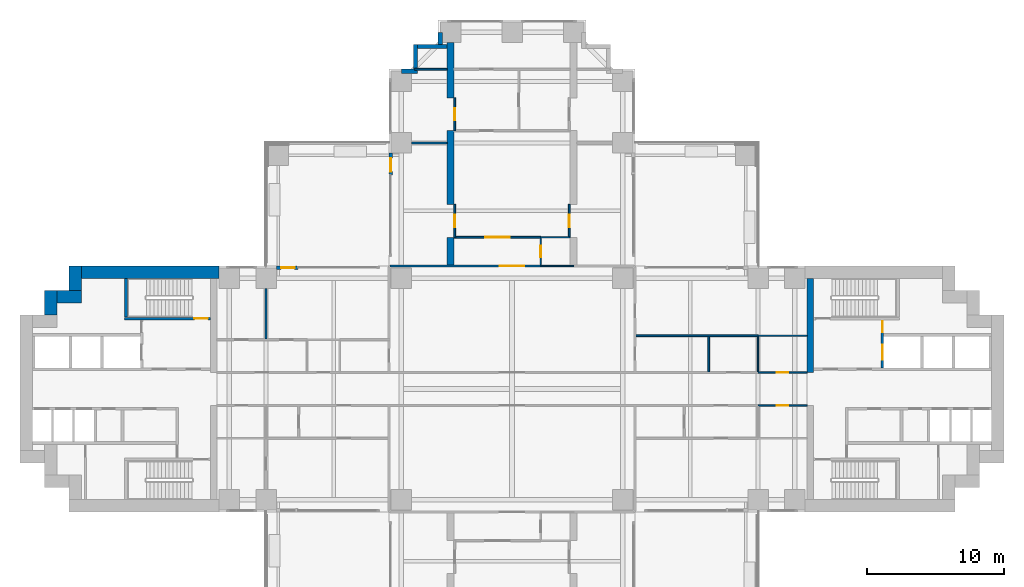
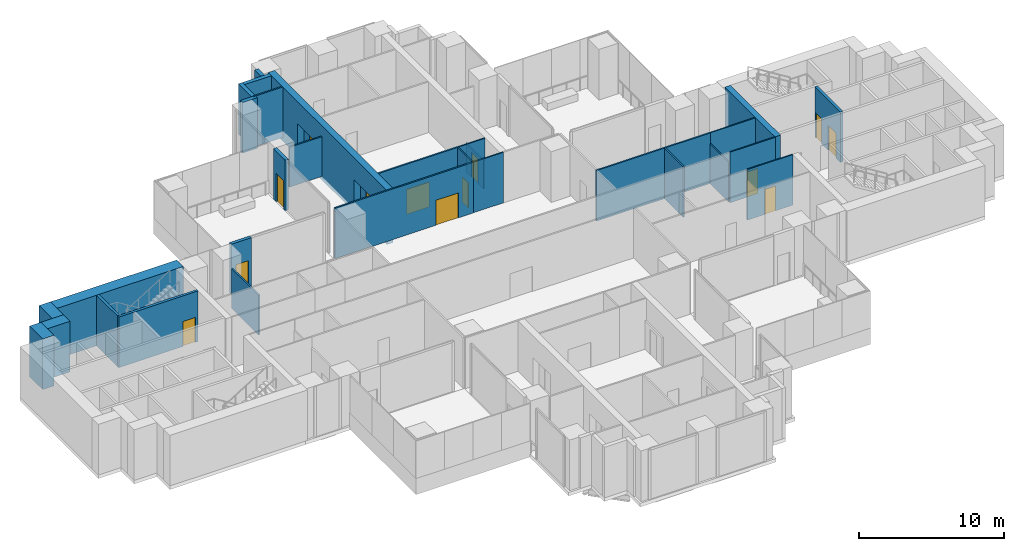
# One storey, part 10 of 15: 32 walls, 13 doors, 13 openings.
"""IFC4 building model written with IfcOpenShell, lengths in metres."""

from ifc_helpers import new_model, si_unit, direction, frame, frame_2d, origin, place, context, subcontext, project, spatial, polyline, rectangle, outline, extrude, material, layer, layer_set, material_profile, profile_set, type_object, element, fill, save


model = new_model("IFC4")

# Units and contexts
model_context = context("Model", 3, precision=1e-05, world=origin(), true_north=direction((0.0, 1.0)))
body_context = subcontext(model_context, "Body", "Model", "MODEL_VIEW")
ifc_project = project(units=[si_unit("LENGTHUNIT", "METRE"), si_unit("AREAUNIT", "SQUARE_METRE"), si_unit("VOLUMEUNIT", "CUBIC_METRE"), si_unit("PLANEANGLEUNIT", "RADIAN"), si_unit("MASSUNIT", "GRAM", prefix="KILO")], contexts=[model_context])

# Site, building, storey
site_placement = place(None, origin())
site = spatial("IfcSite", under=ifc_project, at=site_placement, CompositionType="ELEMENT")
building_placement = place(site_placement, origin())
building = spatial("IfcBuilding", under=site, at=building_placement, Name="Perihelion Cross Residences", CompositionType="ELEMENT")
storey_placement = place(building_placement, frame((0.0, 0.0, 32.0)))
storey = spatial("IfcBuildingStorey", under=building, at=storey_placement, Name="L04", CompositionType="ELEMENT", Elevation=32.0)

# Wall, opening, door
ifc_material_1 = material(Name="Concrete C30/37, bronze-clad", Category="concrete")
ifc_layer_1 = layer(ifc_material_1, 0.25)
ifc_layer_set_1 = layer_set([ifc_layer_1], Name="Bronze-clad pier wall 250")
wall_type_1 = type_object("IfcWallType", Name="Bronze-clad pier wall 250", PredefinedType="SOLIDWALL", material=ifc_layer_set_1)
wall_1_placement = place(storey_placement, frame((-8.875, 17.25, 0.0), z_axis=(0.0, 0.0, 1.0), x_axis=(0.0, -1.0, 0.0)))
wall_1 = element("IfcWall", 1, at=wall_1_placement, inside=storey, type_object=wall_type_1, Name="Wall FW1 L04 north side west bay 2 pier", PredefinedType="SOLIDWALL", context=body_context, shape_type="SweptSolid", body=[
    extrude(rectangle(XDim=1.60009765625, YDim=0.25, at=frame_2d((0.800048828125, 0.0))), origin(), (0.0, 0.0, 1.0), 4.25),
])
opening_1_placement = place(wall_1_placement, frame((0.35009765625, 0.0, 0.0)))
opening_1 = element("IfcOpeningElement", 2, at=opening_1_placement, cuts=wall_1, Name="Opening L04.E03", PredefinedType="OPENING", context=body_context, shape_type="SweptSolid", body=[
    extrude(rectangle(XDim=1.0, YDim=2.39990234375, at=frame_2d((0.5, 1.199951171875))), frame((0.0, 0.135009765625, 0.0), z_axis=(0.0, -1.0, 0.0), x_axis=(1.0, 0.0, 0.0)), (0.0, 0.0, 1.0), 0.27001953125),
])
ifc_material_2 = material(Name="Bronze anodised aluminium, glazed", Category="aluminium")
door_type_1 = type_object("IfcDoorType", Name="Balcony door 1000 x 2400", OperationType="NOTDEFINED", PredefinedType="DOOR", material=ifc_material_2)
door_1_placement = place(opening_1_placement, origin())
door_1 = element("IfcDoor", 3, at=door_1_placement, inside=storey, type_object=door_type_1, Name="Door L04.E03 north side west bay 2", OperationType="SINGLE_SWING_RIGHT", OverallHeight=2.39990234375, OverallWidth=1.0, PredefinedType="DOOR", context=body_context, shape_type="SweptSolid", body=[
    extrude(rectangle(XDim=1.0, YDim=2.39990234375, at=frame_2d((0.5, 1.199951171875))), frame((0.0, 0.02490234375, 0.0), z_axis=(0.0, -1.0, 0.0), x_axis=(1.0, 0.0, 0.0)), (0.0, 0.0, 1.0), 0.050048828125),
])
fill(opening_1, door_1)

wall_2_placement = place(storey_placement, frame((-15.64990234375, 8.875, 0.0), z_axis=(0.0, 0.0, 1.0), x_axis=(-1.0, 0.0, 0.0)))
wall_2 = element("IfcWall", 4, at=wall_2_placement, inside=storey, type_object=wall_type_1, Name="Wall FW1 L04 west side north bay 1 pier", PredefinedType="SOLIDWALL", context=body_context, shape_type="SweptSolid", body=[
    extrude(rectangle(XDim=1.60009765625, YDim=0.25, at=frame_2d((0.800048828125, 0.0))), origin(), (0.0, 0.0, 1.0), 4.25),
])
opening_2_placement = place(wall_2_placement, frame((0.25, 0.0, 0.0)))
opening_2 = element("IfcOpeningElement", 5, at=opening_2_placement, cuts=wall_2, Name="Opening L04.E04", PredefinedType="OPENING", context=body_context, shape_type="SweptSolid", body=[
    extrude(rectangle(XDim=1.0, YDim=2.39990234375, at=frame_2d((0.5, 1.199951171875))), frame((0.0, 0.135009765625, 0.0), z_axis=(0.0, -1.0, 0.0), x_axis=(1.0, 0.0, 0.0)), (0.0, 0.0, 1.0), 0.27001953125),
])
door_2_placement = place(opening_2_placement, origin())
door_2 = element("IfcDoor", 6, at=door_2_placement, inside=storey, type_object=door_type_1, Name="Door L04.E04 west side north bay 1", OperationType="SINGLE_SWING_LEFT", OverallHeight=2.39990234375, OverallWidth=1.0, PredefinedType="DOOR", context=body_context, shape_type="SweptSolid", body=[
    extrude(rectangle(XDim=1.0, YDim=2.39990234375, at=frame_2d((0.5, 1.199951171875))), frame((0.0, 0.02490234375, 0.0), z_axis=(0.0, -1.0, 0.0), x_axis=(1.0, 0.0, 0.0)), (0.0, 0.0, 1.0), 0.050048828125),
])
fill(opening_2, door_2)

# Walls
ifc_material_3 = material(Name="Concrete C30/37, bronze-clad", Category="concrete")
ifc_layer_2 = layer(ifc_material_3, 0.300048828125)
ifc_layer_set_2 = layer_set([ifc_layer_2], Name="Bronze-clad serration wall 300")
wall_type_2 = type_object("IfcWallType", Name="Bronze-clad serration wall 300", PredefinedType="SOLIDWALL", material=ifc_layer_set_2)
wall_3_placement = place(storey_placement, frame((-5.25, 26.080078125, 0.0), z_axis=(0.0, 0.0, 1.0), x_axis=(0.0, -1.0, 0.0)))
element("IfcWall", 7, at=wall_3_placement, inside=storey, type_object=wall_type_2, Name="Wall SR1 L04 north corner north-west 1", PredefinedType="SOLIDWALL", context=body_context, shape_type="SweptSolid", body=[
    extrude(rectangle(XDim=0.880126953125, YDim=0.300048828125, at=frame_2d((0.43994140625, 0.0))), origin(), (0.0, 0.0, 1.0), 4.25),
])
wall_4_placement = place(storey_placement, frame((-4.75, 25.050048828125, 0.0), z_axis=(0.0, 0.0, 1.0), x_axis=(-1.0, 0.0, 0.0)))
element("IfcWall", 8, at=wall_4_placement, inside=storey, type_object=wall_type_2, Name="Wall SR1 L04 north corner north-west 2", PredefinedType="SOLIDWALL", context=body_context, shape_type="SweptSolid", body=[
    extrude(rectangle(XDim=2.14990234375, YDim=0.300048828125, at=frame_2d((1.074951171875, 0.0))), origin(), (0.0, 0.0, 1.0), 4.25),
])
wall_5_placement = place(storey_placement, frame((-7.050048828125, 25.199951171875, 0.0), z_axis=(0.0, 0.0, 1.0), x_axis=(0.0, -1.0, 0.0)))
element("IfcWall", 9, at=wall_5_placement, inside=storey, type_object=wall_type_2, Name="Wall SR1 L04 north corner north-west 3", PredefinedType="SOLIDWALL", context=body_context, shape_type="SweptSolid", body=[
    extrude(rectangle(XDim=1.800048828125, YDim=0.300048828125, at=frame_2d((0.89990234375, 0.0))), origin(), (0.0, 0.0, 1.0), 4.25),
])
wall_6_placement = place(storey_placement, frame((-6.89990234375, 23.25, 0.0), z_axis=(0.0, 0.0, 1.0), x_axis=(-1.0, 0.0, 0.0)))
element("IfcWall", 10, at=wall_6_placement, inside=storey, type_object=wall_type_2, Name="Wall SR1 L04 north corner north-west 4", PredefinedType="SOLIDWALL", context=body_context, shape_type="SweptSolid", body=[
    extrude(rectangle(XDim=1.18017578125, YDim=0.300048828125, at=frame_2d((0.590087890625, 0.0))), origin(), (0.0, 0.0, 1.0), 4.25),
])
ifc_material_4 = material(Name="Concrete C60/75", Category="concrete")
ifc_layer_3 = layer(ifc_material_4, 0.449951171875)
ifc_layer_set_3 = layer_set([ifc_layer_3], Name="Core wall, inner 450")
wall_type_3 = type_object("IfcWallType", Name="Core wall, inner 450", PredefinedType="SHEAR", material=ifc_layer_set_3)
wall_7_placement = place(storey_placement, frame((21.824951171875, 1.199951171875, 0.0), z_axis=(0.0, 0.0, 1.0), x_axis=(0.0, 1.0, 0.0)))
element("IfcWall", 11, at=wall_7_placement, inside=storey, type_object=wall_type_3, Name="East core core wall, inner", PredefinedType="SHEAR", context=body_context, shape_type="SweptSolid", body=[
    extrude(rectangle(XDim=6.900146484375, YDim=0.449951171875, at=frame_2d((3.4501953125, 0.0))), origin(), (0.0, 0.0, 1.0), 4.25),
])
ifc_material_5 = material(Name="Concrete C60/75", Category="concrete")
ifc_layer_4 = layer(ifc_material_5, 0.89990234375)
ifc_layer_set_4 = layer_set([ifc_layer_4], Name="Core wall, outer 900")
wall_type_4 = type_object("IfcWallType", Name="Core wall, outer 900", PredefinedType="SHEAR", material=ifc_layer_set_4)
for number, where, z_axis, x_axis, name in (
    (12, (-33.75, 5.39990234375, 0.0), (0.0, 0.0, 1.0), (0.0, 1.0, 0.0), "West core core wall, outer"),
    (13, (-33.300048828125, 6.75, 0.0), (0.0, 0.0, 1.0), (1.0, 0.0, 0.0), "West core core wall, outer"),
    (14, (-31.949951171875, 7.199951171875, 0.0), (0.0, 0.0, 1.0), (0.0, 1.0, 0.0), "West core core wall, outer"),
):
    element("IfcWall", number, at=place(storey_placement, frame(where, z_axis=z_axis, x_axis=x_axis)), inside=storey, type_object=wall_type_4, Name=name, PredefinedType="SHEAR", context=body_context, shape_type="SweptSolid", body=[
        extrude(rectangle(XDim=1.800048828125, YDim=0.89990234375, at=frame_2d((0.89990234375, 0.0))), origin(), (0.0, 0.0, 1.0), 4.25),
    ])
wall_8_placement = place(storey_placement, frame((-31.5, 8.550048828125, 0.0), z_axis=(0.0, 0.0, 1.0), x_axis=(1.0, 0.0, 0.0)))
element("IfcWall", 15, at=wall_8_placement, inside=storey, type_object=wall_type_4, Name="West core core wall, outer", PredefinedType="SHEAR", context=body_context, shape_type="SweptSolid", body=[
    extrude(rectangle(XDim=10.050048828125, YDim=0.89990234375, at=frame_2d((5.02490234375, 0.0))), origin(), (0.0, 0.0, 1.0), 4.25),
])

# Wall, opening, door
ifc_material_6 = material(Name="Plasterboard partition")
ifc_layer_5 = layer(ifc_material_6, 0.1201171875)
ifc_layer_set_5 = layer_set([ifc_layer_5], Name="Infill panel 120")
wall_type_5 = type_object("IfcWallType", Name="Infill panel 120", PredefinedType="PARTITIONING", material=ifc_layer_set_5)
wall_9_placement = place(storey_placement, frame((4.18994140625, 11.10009765625, 0.0), z_axis=(0.0, 0.0, 1.0), x_axis=(0.0, 1.0, 0.0)))
wall_9 = element("IfcWall", 16, at=wall_9_placement, inside=storey, type_object=wall_type_5, Name="Partition L04 WI01", PredefinedType="PARTITIONING", context=body_context, shape_type="SweptSolid", body=[
    extrude(rectangle(XDim=2.39990234375, YDim=0.1201171875, at=frame_2d((1.199951171875, 0.0))), origin(), (0.0, 0.0, 1.0), 2.39990234375),
])
opening_3_placement = place(wall_9_placement, frame((0.75, 0.0, 0.0)))
opening_3 = element("IfcOpeningElement", 17, at=opening_3_placement, cuts=wall_9, Name="Opening L04.A33", PredefinedType="OPENING", context=body_context, shape_type="SweptSolid", body=[
    extrude(rectangle(XDim=0.89990234375, YDim=2.10009765625, at=frame_2d((0.449951171875, 1.050048828125))), frame((0.0, 0.070068359375, 0.0), z_axis=(0.0, -1.0, 0.0), x_axis=(1.0, 0.0, 0.0)), (0.0, 0.0, 1.0), 0.14013671875),
])
ifc_material_7 = material(Name="Timber door leaf", Category="wood")
door_type_2 = type_object("IfcDoorType", Name="Interior room door 900 x 2100", OperationType="SINGLE_SWING_LEFT", PredefinedType="DOOR", material=ifc_material_7)
door_3_placement = place(opening_3_placement, origin())
door_3 = element("IfcDoor", 18, at=door_3_placement, inside=storey, type_object=door_type_2, Name="Door L04.A33", OperationType="SINGLE_SWING_LEFT", OverallHeight=2.10009765625, OverallWidth=0.89990234375, PredefinedType="DOOR", context=body_context, shape_type="SweptSolid", body=[
    extrude(rectangle(XDim=0.89990234375, YDim=2.10009765625, at=frame_2d((0.449951171875, 1.050048828125))), frame((0.0, 0.02490234375, 0.0), z_axis=(0.0, -1.0, 0.0), x_axis=(1.0, 0.0, 0.0)), (0.0, 0.0, 1.0), 0.050048828125),
])
fill(opening_3, door_3)

wall_10_placement = place(storey_placement, frame((-4.18994140625, 11.10009765625, 0.0), z_axis=(0.0, 0.0, 1.0), x_axis=(0.0, 1.0, 0.0)))
wall_10 = element("IfcWall", 19, at=wall_10_placement, inside=storey, type_object=wall_type_5, Name="Partition L04 WI03", PredefinedType="PARTITIONING", context=body_context, shape_type="SweptSolid", body=[
    extrude(rectangle(XDim=2.39990234375, YDim=0.1201171875, at=frame_2d((1.199951171875, 0.0))), origin(), (0.0, 0.0, 1.0), 2.39990234375),
])
opening_4_placement = place(wall_10_placement, frame((0.75, 0.0, 0.0)))
opening_4 = element("IfcOpeningElement", 20, at=opening_4_placement, cuts=wall_10, Name="Opening L04.A35", PredefinedType="OPENING", context=body_context, shape_type="SweptSolid", body=[
    extrude(rectangle(XDim=0.89990234375, YDim=2.10009765625, at=frame_2d((0.449951171875, 1.050048828125))), frame((0.0, 0.070068359375, 0.0), z_axis=(0.0, -1.0, 0.0), x_axis=(1.0, 0.0, 0.0)), (0.0, 0.0, 1.0), 0.14013671875),
])
door_4_placement = place(opening_4_placement, origin())
door_4 = element("IfcDoor", 21, at=door_4_placement, inside=storey, type_object=door_type_2, Name="Door L04.A35", OperationType="SINGLE_SWING_RIGHT", OverallHeight=2.10009765625, OverallWidth=0.89990234375, PredefinedType="DOOR", context=body_context, shape_type="SweptSolid", body=[
    extrude(rectangle(XDim=0.89990234375, YDim=2.10009765625, at=frame_2d((0.449951171875, 1.050048828125))), frame((0.0, 0.02490234375, 0.0), z_axis=(0.0, -1.0, 0.0), x_axis=(1.0, 0.0, 0.0)), (0.0, 0.0, 1.0), 0.050048828125),
])
fill(opening_4, door_4)

wall_11_placement = place(storey_placement, frame((-4.18994140625, 18.89990234375, 0.0), z_axis=(0.0, 0.0, 1.0), x_axis=(0.0, 1.0, 0.0)))
wall_11 = element("IfcWall", 22, at=wall_11_placement, inside=storey, type_object=wall_type_5, Name="Partition L04 WI04", PredefinedType="PARTITIONING", context=body_context, shape_type="SweptSolid", body=[
    extrude(rectangle(XDim=2.400146484375, YDim=0.1201171875, at=frame_2d((1.2001953125, 0.0))), origin(), (0.0, 0.0, 1.0), 2.39990234375),
])
opening_5_placement = place(wall_11_placement, frame((0.75, 0.0, 0.0)))
opening_5 = element("IfcOpeningElement", 23, at=opening_5_placement, cuts=wall_11, Name="Opening L04.A36", PredefinedType="OPENING", context=body_context, shape_type="SweptSolid", body=[
    extrude(rectangle(XDim=0.89990234375, YDim=2.10009765625, at=frame_2d((0.449951171875, 1.050048828125))), frame((0.0, 0.070068359375, 0.0), z_axis=(0.0, -1.0, 0.0), x_axis=(1.0, 0.0, 0.0)), (0.0, 0.0, 1.0), 0.14013671875),
])
door_5_placement = place(opening_5_placement, origin())
door_5 = element("IfcDoor", 24, at=door_5_placement, inside=storey, type_object=door_type_2, Name="Door L04.A36", OperationType="SINGLE_SWING_LEFT", OverallHeight=2.10009765625, OverallWidth=0.89990234375, PredefinedType="DOOR", context=body_context, shape_type="SweptSolid", body=[
    extrude(rectangle(XDim=0.89990234375, YDim=2.10009765625, at=frame_2d((0.449951171875, 1.050048828125))), frame((0.0, 0.02490234375, 0.0), z_axis=(0.0, -1.0, 0.0), x_axis=(1.0, 0.0, 0.0)), (0.0, 0.0, 1.0), 0.050048828125),
])
fill(opening_5, door_5)

ifc_material_8 = material(Name="Plasterboard partition")
ifc_layer_6 = layer(ifc_material_8, 0.1201171875)
ifc_layer_set_6 = layer_set([ifc_layer_6], Name="Partition wall 120")
wall_type_6 = type_object("IfcWallType", Name="Partition wall 120", PredefinedType="PARTITIONING", material=ifc_layer_set_6)
wall_12_placement = place(storey_placement, frame((-8.919921875, 9.0, 0.0), z_axis=(0.0, 0.0, 1.0), x_axis=(1.0, 0.0, 0.0)))
wall_12 = element("IfcWall", 25, at=wall_12_placement, inside=storey, type_object=wall_type_6, Name="Partition L04 W010", PredefinedType="PARTITIONING", context=body_context, shape_type="SweptSolid", body=[
    extrude(rectangle(XDim=11.02001953125, YDim=0.1201171875, at=frame_2d((5.510009765625, 0.0))), origin(), (0.0, 0.0, 1.0), 4.25),
])
opening_6_placement = place(wall_12_placement, frame((8.02001953125, 0.0, 0.0)))
opening_6 = element("IfcOpeningElement", 26, at=opening_6_placement, cuts=wall_12, Name="Opening L04.A21", PredefinedType="OPENING", context=body_context, shape_type="SweptSolid", body=[
    extrude(rectangle(XDim=1.800048828125, YDim=2.10009765625, at=frame_2d((0.89990234375, 1.050048828125))), frame((0.0, 0.070068359375, 0.0), z_axis=(0.0, -1.0, 0.0), x_axis=(1.0, 0.0, 0.0)), (0.0, 0.0, 1.0), 0.14013671875),
])
ifc_material_9 = material(Name="Glazed timber door leaf", Category="wood")
door_type_3 = type_object("IfcDoorType", Name="Interior double leaf door 1800 x 2100", OperationType="DOUBLE_DOOR_SINGLE_SWING", PredefinedType="DOOR", material=ifc_material_9)
door_6_placement = place(opening_6_placement, origin())
door_6 = element("IfcDoor", 27, at=door_6_placement, inside=storey, type_object=door_type_3, Name="Door L04.A21", OperationType="SINGLE_SWING_LEFT", OverallHeight=2.10009765625, OverallWidth=1.800048828125, PredefinedType="DOOR", context=body_context, shape_type="SweptSolid", body=[
    extrude(rectangle(XDim=1.800048828125, YDim=2.10009765625, at=frame_2d((0.89990234375, 1.050048828125))), frame((0.0, 0.02490234375, 0.0), z_axis=(0.0, -1.0, 0.0), x_axis=(1.0, 0.0, 0.0)), (0.0, 0.0, 1.0), 0.050048828125),
])
fill(opening_6, door_6)

# Walls
wall_13_placement = place(storey_placement, frame((18.0, 3.89990234375, 0.0), z_axis=(0.0, 0.0, 1.0), x_axis=(-1.0, 0.0, 0.0)))
element("IfcWall", 28, at=wall_13_placement, inside=storey, type_object=wall_type_6, Name="Partition L04 W018", PredefinedType="PARTITIONING", context=body_context, shape_type="SweptSolid", body=[
    extrude(rectangle(XDim=9.06005859375, YDim=0.1201171875, at=frame_2d((4.530029296875, 0.0))), origin(), (0.0, 0.0, 1.0), 4.25),
])
wall_14_placement = place(storey_placement, frame((14.39990234375, 3.840087890625, 0.0), z_axis=(0.0, 0.0, 1.0), x_axis=(0.0, -1.0, 0.0)))
element("IfcWall", 29, at=wall_14_placement, inside=storey, type_object=wall_type_6, Name="Partition L04 W020", PredefinedType="PARTITIONING", context=body_context, shape_type="SweptSolid", body=[
    extrude(rectangle(XDim=2.580078125, YDim=0.1201171875, at=frame_2d((1.2900390625, 0.0))), origin(), (0.0, 0.0, 1.0), 4.25),
])
wall_15_placement = place(storey_placement, frame((-18.0, 3.659912109375, 0.0), z_axis=(0.0, 0.0, 1.0), x_axis=(0.0, 1.0, 0.0)))
element("IfcWall", 30, at=wall_15_placement, inside=storey, type_object=wall_type_6, Name="Partition L04 W026", PredefinedType="PARTITIONING", context=body_context, shape_type="SweptSolid", body=[
    extrude(rectangle(XDim=3.690185546875, YDim=0.1201171875, at=frame_2d((1.84521484375, 0.0))), origin(), (0.0, 0.0, 1.0), 3.345947265625),
])

# Wall, opening, door
wall_16_placement = place(storey_placement, frame((-4.25, 11.10009765625, 0.0), z_axis=(0.0, 0.0, 1.0), x_axis=(1.0, 0.0, 0.0)))
wall_16 = element("IfcWall", 31, at=wall_16_placement, inside=storey, type_object=wall_type_6, Name="Partition L04 W038", PredefinedType="PARTITIONING", context=body_context, shape_type="SweptSolid", body=[
    extrude(rectangle(XDim=6.35009765625, YDim=0.1201171875, at=frame_2d((3.175048828125, 0.0))), origin(), (0.0, 0.0, 1.0), 4.25),
])
opening_7_placement = place(wall_16_placement, frame((2.27490234375, 0.0, 0.0)))
opening_7 = element("IfcOpeningElement", 32, at=opening_7_placement, cuts=wall_16, Name="Opening L04.A23", PredefinedType="OPENING", context=body_context, shape_type="SweptSolid", body=[
    extrude(rectangle(XDim=1.800048828125, YDim=2.10009765625, at=frame_2d((0.89990234375, 1.050048828125))), frame((0.0, 0.070068359375, 0.0), z_axis=(0.0, -1.0, 0.0), x_axis=(1.0, 0.0, 0.0)), (0.0, 0.0, 1.0), 0.14013671875),
])
door_7_placement = place(opening_7_placement, origin())
door_7 = element("IfcDoor", 33, at=door_7_placement, inside=storey, type_object=door_type_3, Name="Door L04.A23", OperationType="SINGLE_SWING_LEFT", OverallHeight=2.10009765625, OverallWidth=1.800048828125, PredefinedType="DOOR", context=body_context, shape_type="SweptSolid", body=[
    extrude(rectangle(XDim=1.800048828125, YDim=2.10009765625, at=frame_2d((0.89990234375, 1.050048828125))), frame((0.0, 0.02490234375, 0.0), z_axis=(0.0, -1.0, 0.0), x_axis=(1.0, 0.0, 0.0)), (0.0, 0.0, 1.0), 0.050048828125),
])
fill(opening_7, door_7)

# Walls
wall_17_placement = place(storey_placement, frame((-7.35009765625, 18.0, 0.0), z_axis=(0.0, 0.0, 1.0), x_axis=(1.0, 0.0, 0.0)))
element("IfcWall", 34, at=wall_17_placement, inside=storey, type_object=wall_type_6, Name="Partition L04 W045", PredefinedType="PARTITIONING", context=body_context, shape_type="SweptSolid", body=[
    extrude(rectangle(XDim=2.60009765625, YDim=0.1201171875, at=frame_2d((1.300048828125, 0.0))), origin(), (0.0, 0.0, 1.0), 3.345947265625),
])
wall_18_placement = place(storey_placement, frame((-7.1201171875, 23.39990234375, 0.0), z_axis=(0.0, 0.0, 1.0), x_axis=(1.0, 0.0, 0.0)))
element("IfcWall", 35, at=wall_18_placement, inside=storey, type_object=wall_type_6, Name="Partition L04 W046", PredefinedType="PARTITIONING", context=body_context, shape_type="SweptSolid", body=[
    extrude(rectangle(XDim=2.3701171875, YDim=0.1201171875, at=frame_2d((1.18505859375, 0.0))), origin(), (0.0, 0.0, 1.0), 4.25),
])

# Wall, openings, doors
ifc_material_10 = material(Name="Concrete C50/60", Category="concrete")
ifc_layer_7 = layer(ifc_material_10, 0.199951171875)
ifc_layer_set_7 = layer_set([ifc_layer_7], Name="Shaft wall 200")
wall_type_7 = type_object("IfcWallType", Name="Shaft wall 200", PredefinedType="SOLIDWALL", material=ifc_layer_set_7)
wall_19_placement = place(storey_placement, frame((27.10009765625, 1.550048828125, 0.0), z_axis=(0.0, 0.0, 1.0), x_axis=(0.0, 1.0, 0.0)))
wall_19 = element("IfcWall", 36, at=wall_19_placement, inside=storey, type_object=wall_type_7, Name="East core shaft wall", PredefinedType="SOLIDWALL", context=body_context, shape_type="SweptSolid", body=[
    extrude(rectangle(XDim=3.5, YDim=0.199951171875, at=frame_2d((1.75, 0.0))), origin(), (0.0, 0.0, 1.0), 4.25),
])
opening_8_placement = place(wall_19_placement, frame((0.60009765625, 0.0, 0.0)))
opening_8 = element("IfcOpeningElement", 37, at=opening_8_placement, cuts=wall_19, Name="Opening L04.C01", PredefinedType="OPENING", context=body_context, shape_type="SweptSolid", body=[
    extrude(rectangle(XDim=1.10009765625, YDim=2.10009765625, at=frame_2d((0.550048828125, 1.050048828125))), frame((0.0, 0.10986328125, 0.0), z_axis=(0.0, -1.0, 0.0), x_axis=(1.0, 0.0, 0.0)), (0.0, 0.0, 1.0), 0.219970703125),
])
opening_9_placement = place(wall_19_placement, frame((2.60009765625, 0.0, 0.0)))
opening_9 = element("IfcOpeningElement", 38, at=opening_9_placement, cuts=wall_19, Name="Opening L04.C11", PredefinedType="OPENING", context=body_context, shape_type="SweptSolid", body=[
    extrude(rectangle(XDim=0.800048828125, YDim=2.10009765625, at=frame_2d((0.39990234375, 1.050048828125))), frame((0.0, 0.10986328125, 0.0), z_axis=(0.0, -1.0, 0.0), x_axis=(1.0, 0.0, 0.0)), (0.0, 0.0, 1.0), 0.219970703125),
])
ifc_material_11 = material(Name="Stainless steel", Category="steel")
door_type_4 = type_object("IfcDoorType", Name="Landing door, firefighting lift 1100", OperationType="DOUBLE_DOOR_SLIDING", PredefinedType="DOOR", material=ifc_material_11)
door_8_placement = place(opening_8_placement, origin())
door_8 = element("IfcDoor", 39, at=door_8_placement, inside=storey, type_object=door_type_4, Name="Landing door, East core firefighting and service lift", OperationType="DOUBLE_DOOR_SLIDING", OverallHeight=2.10009765625, OverallWidth=1.10009765625, PredefinedType="DOOR", context=body_context, shape_type="SweptSolid", body=[
    extrude(rectangle(XDim=1.10009765625, YDim=2.10009765625, at=frame_2d((0.550048828125, 1.050048828125))), frame((0.0, 0.02490234375, 0.0), z_axis=(0.0, -1.0, 0.0), x_axis=(1.0, 0.0, 0.0)), (0.0, 0.0, 1.0), 0.050048828125),
])
fill(opening_8, door_8)
ifc_material_12 = material(Name="Steel, powder coated", Category="steel")
door_type_5 = type_object("IfcDoorType", Name="Riser door 800", OperationType="SINGLE_SWING_LEFT", PredefinedType="DOOR", material=ifc_material_12)
door_9_placement = place(opening_9_placement, origin())
door_9 = element("IfcDoor", 40, at=door_9_placement, inside=storey, type_object=door_type_5, Name="East core riser door", OperationType="SINGLE_SWING_LEFT", OverallHeight=2.10009765625, OverallWidth=0.800048828125, PredefinedType="DOOR", context=body_context, shape_type="SweptSolid", body=[
    extrude(rectangle(XDim=0.800048828125, YDim=2.10009765625, at=frame_2d((0.39990234375, 1.050048828125))), frame((0.0, 0.02490234375, 0.0), z_axis=(0.0, -1.0, 0.0), x_axis=(1.0, 0.0, 0.0)), (0.0, 0.0, 1.0), 0.050048828125),
])
fill(opening_9, door_9)

# Wall, opening, door
ifc_material_13 = material(Name="Concrete C50/60", Category="concrete")
ifc_layer_8 = layer(ifc_material_13, 0.199951171875)
ifc_layer_set_8 = layer_set([ifc_layer_8], Name="Stair wall 200")
wall_type_8 = type_object("IfcWallType", Name="Stair wall 200", PredefinedType="SOLIDWALL", material=ifc_layer_set_8)
wall_20_placement = place(storey_placement, frame((-28.35009765625, 5.14990234375, 0.0), z_axis=(0.0, 0.0, 1.0), x_axis=(1.0, 0.0, 0.0)))
wall_20 = element("IfcWall", 41, at=wall_20_placement, inside=storey, type_object=wall_type_8, Name="West core stair wall", PredefinedType="SOLIDWALL", context=body_context, shape_type="SweptSolid", body=[
    extrude(rectangle(XDim=6.300048828125, YDim=0.199951171875, at=frame_2d((3.14990234375, 0.0))), origin(), (0.0, 0.0, 1.0), 4.25),
])
opening_10_placement = place(wall_20_placement, frame((5.10009765625, 0.0, 0.0)))
opening_10 = element("IfcOpeningElement", 42, at=opening_10_placement, cuts=wall_20, Name="Opening L04.C19", PredefinedType="OPENING", context=body_context, shape_type="SweptSolid", body=[
    extrude(rectangle(XDim=1.0, YDim=2.10009765625, at=frame_2d((0.5, 1.050048828125))), frame((0.0, 0.10986328125, 0.0), z_axis=(0.0, -1.0, 0.0), x_axis=(1.0, 0.0, 0.0)), (0.0, 0.0, 1.0), 0.219970703125),
])
ifc_material_14 = material(Name="Steel, powder coated", Category="steel")
door_type_6 = type_object("IfcDoorType", Name="Stair door 1000", OperationType="SINGLE_SWING_LEFT", PredefinedType="DOOR", material=ifc_material_14)
door_10_placement = place(opening_10_placement, origin())
door_10 = element("IfcDoor", 43, at=door_10_placement, inside=storey, type_object=door_type_6, Name="West core stair door", OperationType="SINGLE_SWING_LEFT", OverallHeight=2.10009765625, OverallWidth=1.0, PredefinedType="DOOR", context=body_context, shape_type="SweptSolid", body=[
    extrude(rectangle(XDim=1.0, YDim=2.10009765625, at=frame_2d((0.5, 1.050048828125))), frame((0.0, 0.02490234375, 0.0), z_axis=(0.0, -1.0, 0.0), x_axis=(1.0, 0.0, 0.0)), (0.0, 0.0, 1.0), 0.050048828125),
])
fill(opening_10, door_10)

# Walls
wall_21_placement = place(storey_placement, frame((-28.25, 5.25, 0.0), z_axis=(0.0, 0.0, 1.0), x_axis=(0.0, 1.0, 0.0)))
element("IfcWall", 44, at=wall_21_placement, inside=storey, type_object=wall_type_8, Name="West core stair wall", PredefinedType="SOLIDWALL", context=body_context, shape_type="SweptSolid", body=[
    extrude(rectangle(XDim=2.85009765625, YDim=0.199951171875, at=frame_2d((1.425048828125, 0.0))), origin(), (0.0, 0.0, 1.0), 4.25),
])
ifc_material_15 = material(Name="Concrete C60/75", Category="concrete")
ifc_material_profile = material_profile(ifc_material_15, outline(polyline([(0.0, 0.0), (2.10009765625, 0.0), (2.10009765625, 2.699951171875), (4.5, 2.699951171875), (4.5, 0.0), (9.89990234375, 0.0), (9.89990234375, 2.699951171875), (12.300048828125, 2.699951171875), (12.300048828125, 0.0), (16.35009765625, 0.0), (16.35009765625, 4.550048828125), (0.0, 4.550048828125), (0.0, 0.0)])), Name="Tip spine wall")
ifc_profile_set = profile_set([ifc_material_profile], Name="Concrete C60/75")
wall_type_9 = type_object("IfcWallType", Name="Tip spine wall 500 with 2 door openings 16350 long 4550 high concrete C60/75 hand B", PredefinedType="SHEAR", material=ifc_profile_set)
wall_22_placement = place(storey_placement, frame((-4.75, 9.0, -0.300048828125), z_axis=(1.0, 0.0, 0.0), x_axis=(0.0, 1.0, 0.0)))
element("IfcWall", 45, at=wall_22_placement, inside=storey, type_object=wall_type_9, Name="Shear wall SW20 L04 north west", PredefinedType="SHEAR", context=body_context, shape_type="SweptSolid", body=[
    extrude(outline(polyline([(0.0, 0.0), (2.10009765625, 0.0), (2.10009765625, 2.699951171875), (4.5, 2.699951171875), (4.5, 0.0), (9.89990234375, 0.0), (9.89990234375, 2.699951171875), (12.300048828125, 2.699951171875), (12.300048828125, 0.0), (16.35009765625, 0.0), (16.35009765625, 4.550048828125), (0.0, 4.550048828125), (0.0, 0.0)])), origin(), (0.0, 0.0, 1.0), 0.5),
])

# Wall, opening, door
ifc_material_16 = material(Name="Plasterboard partition")
ifc_layer_9 = layer(ifc_material_16, 0.10009765625)
ifc_layer_set_9 = layer_set([ifc_layer_9], Name="Wet room wall 100")
wall_type_10 = type_object("IfcWallType", Name="Wet room wall 100", PredefinedType="PARTITIONING", material=ifc_layer_set_9)
wall_23_placement = place(storey_placement, frame((18.0, 1.199951171875, 0.0), z_axis=(0.0, 0.0, 1.0), x_axis=(1.0, 0.0, 0.0)))
wall_23 = element("IfcWall", 46, at=wall_23_placement, inside=storey, type_object=wall_type_10, Name="Partition L04 W003", PredefinedType="PARTITIONING", context=body_context, shape_type="SweptSolid", body=[
    extrude(rectangle(XDim=3.60009765625, YDim=0.10009765625, at=frame_2d((1.800048828125, 0.0))), origin(), (0.0, 0.0, 1.0), 4.25),
])
opening_11_placement = place(wall_23_placement, frame((1.375, 0.0, 0.0)))
opening_11 = element("IfcOpeningElement", 47, at=opening_11_placement, cuts=wall_23, Name="Opening L04.A04", PredefinedType="OPENING", context=body_context, shape_type="SweptSolid", body=[
    extrude(rectangle(XDim=0.85009765625, YDim=2.10009765625, at=frame_2d((0.425048828125, 1.050048828125))), frame((0.0, 0.06005859375, 0.0), z_axis=(0.0, -1.0, 0.0), x_axis=(1.0, 0.0, 0.0)), (0.0, 0.0, 1.0), 0.1201171875),
])
ifc_material_17 = material(Name="Timber door leaf", Category="wood")
door_type_7 = type_object("IfcDoorType", Name="Interior bathroom door 850 x 2100", OperationType="SINGLE_SWING_LEFT", PredefinedType="DOOR", material=ifc_material_17)
door_11_placement = place(opening_11_placement, origin())
door_11 = element("IfcDoor", 48, at=door_11_placement, inside=storey, type_object=door_type_7, Name="Door L04.A04", OperationType="SINGLE_SWING_RIGHT", OverallHeight=2.10009765625, OverallWidth=0.85009765625, PredefinedType="DOOR", context=body_context, shape_type="SweptSolid", body=[
    extrude(rectangle(XDim=0.85009765625, YDim=2.10009765625, at=frame_2d((0.425048828125, 1.050048828125))), frame((0.0, 0.02490234375, 0.0), z_axis=(0.0, -1.0, 0.0), x_axis=(1.0, 0.0, 0.0)), (0.0, 0.0, 1.0), 0.050048828125),
])
fill(opening_11, door_11)

wall_24_placement = place(storey_placement, frame((21.60009765625, -1.199951171875, 0.0), z_axis=(0.0, 0.0, 1.0), x_axis=(-1.0, 0.0, 0.0)))
wall_24 = element("IfcWall", 49, at=wall_24_placement, inside=storey, type_object=wall_type_10, Name="Partition L04 W004", PredefinedType="PARTITIONING", context=body_context, shape_type="SweptSolid", body=[
    extrude(rectangle(XDim=3.60009765625, YDim=0.10009765625, at=frame_2d((1.800048828125, 0.0))), origin(), (0.0, 0.0, 1.0), 4.25),
])
opening_12_placement = place(wall_24_placement, frame((1.375, 0.0, 0.0)))
opening_12 = element("IfcOpeningElement", 50, at=opening_12_placement, cuts=wall_24, Name="Opening L04.A06", PredefinedType="OPENING", context=body_context, shape_type="SweptSolid", body=[
    extrude(rectangle(XDim=0.85009765625, YDim=2.10009765625, at=frame_2d((0.425048828125, 1.050048828125))), frame((0.0, 0.06005859375, 0.0), z_axis=(0.0, -1.0, 0.0), x_axis=(1.0, 0.0, 0.0)), (0.0, 0.0, 1.0), 0.1201171875),
])
door_12_placement = place(opening_12_placement, origin())
door_12 = element("IfcDoor", 51, at=door_12_placement, inside=storey, type_object=door_type_7, Name="Door L04.A06", OperationType="SINGLE_SWING_RIGHT", OverallHeight=2.10009765625, OverallWidth=0.85009765625, PredefinedType="DOOR", context=body_context, shape_type="SweptSolid", body=[
    extrude(rectangle(XDim=0.85009765625, YDim=2.10009765625, at=frame_2d((0.425048828125, 1.050048828125))), frame((0.0, 0.02490234375, 0.0), z_axis=(0.0, -1.0, 0.0), x_axis=(1.0, 0.0, 0.0)), (0.0, 0.0, 1.0), 0.050048828125),
])
fill(opening_12, door_12)

# Walls
wall_25_placement = place(storey_placement, frame((2.10009765625, 9.0, 0.0), z_axis=(0.0, 0.0, 1.0), x_axis=(1.0, 0.0, 0.0)))
element("IfcWall", 52, at=wall_25_placement, inside=storey, type_object=wall_type_10, Name="Partition L04 W011", PredefinedType="PARTITIONING", context=body_context, shape_type="SweptSolid", body=[
    extrude(rectangle(XDim=2.39990234375, YDim=0.10009765625, at=frame_2d((1.199951171875, 0.0))), origin(), (0.0, 0.0, 1.0), 4.25),
])
wall_26_placement = place(storey_placement, frame((21.60009765625, 3.89990234375, 0.0), z_axis=(0.0, 0.0, 1.0), x_axis=(-1.0, 0.0, 0.0)))
element("IfcWall", 53, at=wall_26_placement, inside=storey, type_object=wall_type_10, Name="Partition L04 W019", PredefinedType="PARTITIONING", context=body_context, shape_type="SweptSolid", body=[
    extrude(rectangle(XDim=3.60009765625, YDim=0.10009765625, at=frame_2d((1.800048828125, 0.0))), origin(), (0.0, 0.0, 1.0), 4.25),
])
wall_27_placement = place(storey_placement, frame((18.0, 3.840087890625, 0.0), z_axis=(0.0, 0.0, 1.0), x_axis=(0.0, -1.0, 0.0)))
element("IfcWall", 54, at=wall_27_placement, inside=storey, type_object=wall_type_10, Name="Partition L04 W021", PredefinedType="PARTITIONING", context=body_context, shape_type="SweptSolid", body=[
    extrude(rectangle(XDim=2.580078125, YDim=0.10009765625, at=frame_2d((1.2900390625, 0.0))), origin(), (0.0, 0.0, 1.0), 3.345947265625),
])

# Wall, opening, door
wall_28_placement = place(storey_placement, frame((2.10009765625, 11.0400390625, 0.0), z_axis=(0.0, 0.0, 1.0), x_axis=(0.0, -1.0, 0.0)))
wall_28 = element("IfcWall", 55, at=wall_28_placement, inside=storey, type_object=wall_type_10, Name="Partition L04 W037", PredefinedType="PARTITIONING", context=body_context, shape_type="SweptSolid", body=[
    extrude(rectangle(XDim=1.97998046875, YDim=0.10009765625, at=frame_2d((0.989990234375, 0.0))), origin(), (0.0, 0.0, 1.0), 4.25),
])
opening_13_placement = place(wall_28_placement, frame((0.56494140625, 0.0, 0.0)))
opening_13 = element("IfcOpeningElement", 56, at=opening_13_placement, cuts=wall_28, Name="Opening L04.A22", PredefinedType="OPENING", context=body_context, shape_type="SweptSolid", body=[
    extrude(rectangle(XDim=0.85009765625, YDim=2.10009765625, at=frame_2d((0.425048828125, 1.050048828125))), frame((0.0, 0.06005859375, 0.0), z_axis=(0.0, -1.0, 0.0), x_axis=(1.0, 0.0, 0.0)), (0.0, 0.0, 1.0), 0.1201171875),
])
door_13_placement = place(opening_13_placement, origin())
door_13 = element("IfcDoor", 57, at=door_13_placement, inside=storey, type_object=door_type_7, Name="Door L04.A22", OperationType="SINGLE_SWING_RIGHT", OverallHeight=2.10009765625, OverallWidth=0.85009765625, PredefinedType="DOOR", context=body_context, shape_type="SweptSolid", body=[
    extrude(rectangle(XDim=0.85009765625, YDim=2.10009765625, at=frame_2d((0.425048828125, 1.050048828125))), frame((0.0, 0.02490234375, 0.0), z_axis=(0.0, -1.0, 0.0), x_axis=(1.0, 0.0, 0.0)), (0.0, 0.0, 1.0), 0.050048828125),
])
fill(opening_13, door_13)

# Wall
wall_29_placement = place(storey_placement, frame((2.10009765625, 11.10009765625, 0.0), z_axis=(0.0, 0.0, 1.0), x_axis=(1.0, 0.0, 0.0)))
element("IfcWall", 58, at=wall_29_placement, inside=storey, type_object=wall_type_10, Name="Partition L04 W039", PredefinedType="PARTITIONING", context=body_context, shape_type="SweptSolid", body=[
    extrude(rectangle(XDim=2.14990234375, YDim=0.10009765625, at=frame_2d((1.074951171875, 0.0))), origin(), (0.0, 0.0, 1.0), 4.25),
])

save(model, "model.ifc")
